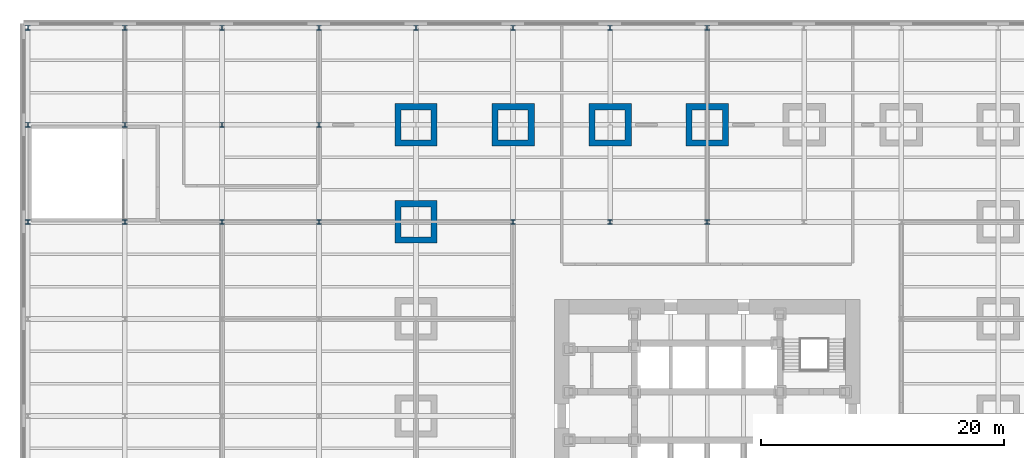
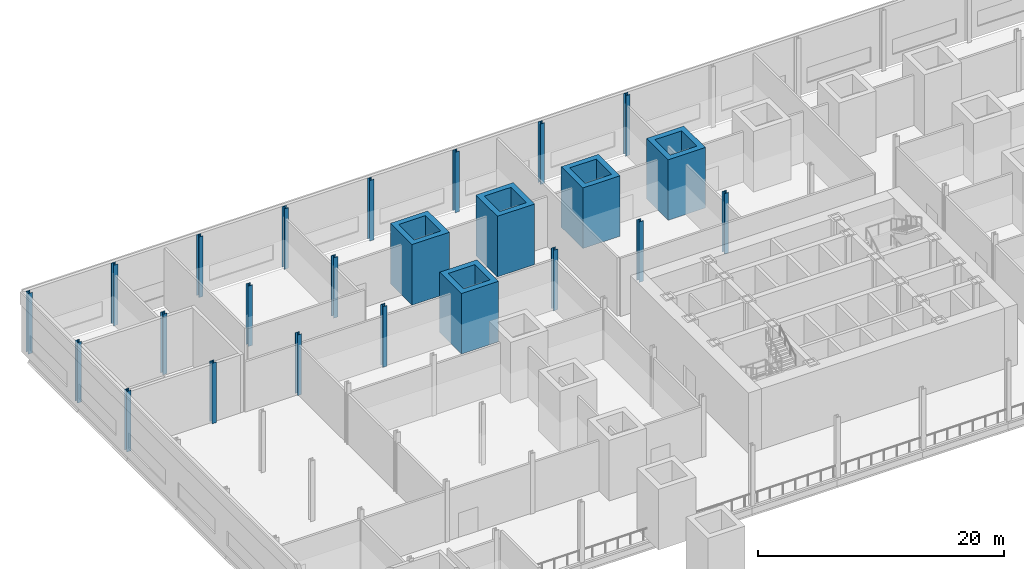
# One storey, part 5 of 21: 24 columns.
"""IFC4 building model written with IfcOpenShell, lengths in metres."""

import ifcopenshell
import ifcopenshell.guid

model = None  # the IFC model being written
_history = None  # IfcOwnerHistory: only IFC2X3 demands one
_inside = {}  # id of a spatial element -> (the spatial element, [elements in it])
_under = {}  # id of a project, library or spatial element -> (it, [spatial elements below it])
_declared = {}  # id of a project -> (the project, [libraries it declares])
_typed = {}  # id of a type object -> (the type object, [elements of that type])
_made_of = {}  # id of a material, layer set ... -> (it, [elements and type objects made of it])


def new_model(schema):
    """Start an empty IFC model of exactly this schema.

    Asked for "IFC4X3", IfcOpenShell would pick the latest addendum, in which some entities
    have other attributes; the version numbers below select the first issue.
    IFC2X3 requires an IfcOwnerHistory on every rooted entity: one is made here for all.
    """
    global model, _history
    if schema == "IFC4X3":
        model = ifcopenshell.file(schema_version=(4, 3, 0, 0))
    else:
        model = ifcopenshell.file(schema=schema)
    _inside.clear()
    _under.clear()
    _declared.clear()
    _typed.clear()
    _made_of.clear()
    _history = None
    if model.schema == "IFC2X3":
        org = make("IfcOrganization", Name="unknown")
        user = make(
            "IfcPersonAndOrganization",
            ThePerson=make("IfcPerson", FamilyName="unknown"),
            TheOrganization=org,
        )
        app = make(
            "IfcApplication",
            ApplicationDeveloper=org,
            Version="unknown",
            ApplicationFullName="unknown",
            ApplicationIdentifier="unknown",
        )
        _history = make(
            "IfcOwnerHistory",
            OwningUser=user,
            OwningApplication=app,
            ChangeAction="ADDED",
            CreationDate=0,
        )
    return model


def make(cls, **values):
    """One entity of the class cls with the attributes given. An attribute that is None is left unset."""
    return model.create_entity(
        cls, **{name: value for name, value in values.items() if value is not None}
    )


def rooted(cls, **values):
    """An entity with a GlobalId (a new one), such as an element, a storey or a relation."""
    return make(cls, GlobalId=ifcopenshell.guid.new(), OwnerHistory=_history, **values)


def si_unit(unit_type, name, prefix=None):
    """IfcSIUnit, for example si_unit("LENGTHUNIT", "METRE", prefix="MILLI")."""
    return make("IfcSIUnit", UnitType=unit_type, Prefix=prefix, Name=name)


def assignment(units):
    """IfcUnitAssignment: the units of a project."""
    return None if units is None else make("IfcUnitAssignment", Units=units)


def point(xyz):
    """IfcCartesianPoint."""
    return None if xyz is None else make("IfcCartesianPoint", Coordinates=xyz)


def direction(xyz):
    """IfcDirection."""
    return None if xyz is None else make("IfcDirection", DirectionRatios=xyz)


def frame(location, z_axis=None, x_axis=None):
    """IfcAxis2Placement3D, a coordinate frame: its origin and axes. An axis left out is left unset."""
    return make(
        "IfcAxis2Placement3D",
        Location=point(location),
        Axis=direction(z_axis),
        RefDirection=direction(x_axis),
    )


def frame_2d(location, x_axis=None):
    """IfcAxis2Placement2D, a coordinate frame in the plane: its origin and x axis."""
    return make(
        "IfcAxis2Placement2D", Location=point(location), RefDirection=direction(x_axis)
    )


def origin():
    """The frame at (0, 0, 0) with its axes left unset."""
    return frame((0.0, 0.0, 0.0))


def origin_2d():
    """The frame at (0, 0) in the plane with its x axis left unset."""
    return frame_2d((0.0, 0.0))


def place(relative_to, where):
    """IfcLocalPlacement: puts the frame where relative to a parent placement (None: the world)."""
    return make(
        "IfcLocalPlacement", PlacementRelTo=relative_to, RelativePlacement=where
    )


def context(
    kind, dimensions, precision=None, world=None, true_north=None, identifier=None
):
    """IfcGeometricRepresentationContext, for example the 3D "Model" context."""
    return make(
        "IfcGeometricRepresentationContext",
        ContextIdentifier=identifier,
        ContextType=kind,
        CoordinateSpaceDimension=dimensions,
        Precision=precision,
        WorldCoordinateSystem=world,
        TrueNorth=true_north,
    )


def subcontext(parent, identifier, kind, view, scale=None):
    """IfcGeometricRepresentationSubContext, for example "Body" below "Model"."""
    return make(
        "IfcGeometricRepresentationSubContext",
        ContextIdentifier=identifier,
        ContextType=kind,
        ParentContext=parent,
        TargetScale=scale,
        TargetView=view,
    )


def project(units=None, contexts=None):
    """IfcProject with its units and contexts."""
    return rooted(
        "IfcProject",
        Name="project",
        RepresentationContexts=contexts,
        UnitsInContext=assignment(units),
    )


def spatial(cls, under=None, at=None, **own):
    """A site, building, storey or space (cls), placed at a placement, below another one or the project."""
    s = rooted(cls, ObjectPlacement=at, **own)
    if under is not None:
        _under.setdefault(under.id(), (under, []))[1].append(s)
    return s


def profile(cls, at=None, kind="AREA", **sizes):
    """A parametric profile (cls). Its sizes go by their IFC names, for example OverallWidth=200.0."""
    return make(cls, ProfileType=kind, Position=at, **sizes)


def hollow_rectangle(**sizes):
    """IfcRectangleHollowProfileDef."""
    return profile("IfcRectangleHollowProfileDef", **sizes)


def i_section(**sizes):
    """IfcIShapeProfileDef."""
    return profile("IfcIShapeProfileDef", **sizes)


def extrude(swept, where, along, depth):
    """IfcExtrudedAreaSolid: the profile swept, set in the frame where, extruded along a direction by depth."""
    return make(
        "IfcExtrudedAreaSolid",
        SweptArea=swept,
        Position=where,
        ExtrudedDirection=direction(along),
        Depth=depth,
    )


def shape(context_of_items, identifier, shape_type, items):
    """IfcShapeRepresentation: the items that make up one representation, for example the "Body"."""
    return make(
        "IfcShapeRepresentation",
        ContextOfItems=context_of_items,
        RepresentationIdentifier=identifier,
        RepresentationType=shape_type,
        Items=items,
    )


def material(Name=None, Category=None):
    """IfcMaterial."""
    return make("IfcMaterial", Name=Name, Category=Category)


def material_profile(
    of_material, cross_section, Name=None, Category=None, Priority=None
):
    """IfcMaterialProfile: a cross section and its material."""
    return make(
        "IfcMaterialProfile",
        Name=Name,
        Material=of_material,
        Profile=cross_section,
        Priority=Priority,
        Category=Category,
    )


def profile_set(profiles, Name=None, composite=None):
    """IfcMaterialProfileSet."""
    return make(
        "IfcMaterialProfileSet",
        Name=Name,
        MaterialProfiles=profiles,
        CompositeProfile=composite,
    )


def made_of(thing, what):
    """Note that an element or type object is made of a material, layer set ...; save() writes the relation."""
    if what is not None:
        _made_of.setdefault(what.id(), (what, []))[1].append(thing)
    return thing


def type_object(cls, material=None, **own):
    """A type object (cls), such as IfcWallType, which elements share."""
    return made_of(rooted(cls, **own), material)


def element(
    cls,
    number,
    at=None,
    inside=None,
    cuts=None,
    type_object=None,
    material=None,
    context=None,
    identifier="Body",
    shape_type=None,
    held_by="IfcProductDefinitionShape",
    body=None,
    shapes=None,
    **own,
):
    """One element of the class cls, such as IfcWall. Its Tag is "e" and its number.

    at: its placement. inside: the storey or other place that contains it. cuts: it is an
    opening in that element (IfcRelVoidsElement). A single representation is given by context,
    identifier, shape_type and body (its items); several are given by shapes. held_by: the class
    of the entity that holds the representations. save() writes the other relations.
    """
    e = rooted(cls, Tag="e%d" % number, ObjectPlacement=at, **own)
    if body is not None:
        shapes = [shape(context, identifier, shape_type, body)]
    if shapes is not None:
        e.Representation = make(held_by, Representations=shapes)
    if inside is not None:
        _inside.setdefault(inside.id(), (inside, []))[1].append(e)
    if cuts is not None:
        rooted(
            "IfcRelVoidsElement", RelatingBuildingElement=cuts, RelatedOpeningElement=e
        )
    if type_object is not None:
        _typed.setdefault(type_object.id(), (type_object, []))[1].append(e)
    return made_of(e, material)


def aggregate(whole, parts):
    """IfcRelAggregates: a whole, such as a stair, and the parts it consists of."""
    return rooted("IfcRelAggregates", RelatingObject=whole, RelatedObjects=parts)


def save(model, path):
    """Write the relations noted so far, then the file.

    IfcRelAggregates (storeys below a building ...), IfcRelContainedInSpatialStructure (elements
    in a storey), IfcRelDefinesByType, IfcRelAssociatesMaterial and IfcRelDeclares: one each for
    every whole, place, type object, material and project.
    """
    for whole, parts in _under.values():
        aggregate(whole, parts)
    for where, things in _inside.values():
        rooted(
            "IfcRelContainedInSpatialStructure",
            RelatedElements=things,
            RelatingStructure=where,
        )
    for kind, things in _typed.values():
        rooted("IfcRelDefinesByType", RelatedObjects=things, RelatingType=kind)
    for what, things in _made_of.values():
        rooted("IfcRelAssociatesMaterial", RelatedObjects=things, RelatingMaterial=what)
    for by, libraries in _declared.values():
        rooted("IfcRelDeclares", RelatingContext=by, RelatedDefinitions=libraries)
    model.write(path)


model = new_model("IFC4")

# Units and contexts
model_context = context("Model", 3, precision=1e-05, world=origin(), true_north=direction((0.0, 1.0)))
body_context = subcontext(model_context, "Body", "Model", "MODEL_VIEW")
ifc_project = project(units=[si_unit("LENGTHUNIT", "METRE"), si_unit("AREAUNIT", "SQUARE_METRE"), si_unit("VOLUMEUNIT", "CUBIC_METRE"), si_unit("PLANEANGLEUNIT", "RADIAN"), si_unit("MASSUNIT", "GRAM", prefix="KILO")], contexts=[model_context])

# Site, building, storey
site_placement = place(None, origin())
site = spatial("IfcSite", under=ifc_project, at=site_placement, CompositionType="ELEMENT")
building_placement = place(site_placement, origin())
building = spatial("IfcBuilding", under=site, at=building_placement, Name="Daluyong Arena Tower", CompositionType="ELEMENT")
storey_placement = place(building_placement, frame((0.0, 0.0, 19.89990234375)))
storey = spatial("IfcBuildingStorey", under=building, at=storey_placement, Name="L04", CompositionType="ELEMENT", Elevation=19.89990234375)

# Columns
ifc_material_1 = material(Name="Steel ASTM A992 Grade 50", Category="steel")
ifc_material_profile_1 = material_profile(ifc_material_1, i_section(OverallWidth=0.398681640625, OverallDepth=0.385986328125, WebThickness=0.02099609375, FlangeThickness=0.033203125, at=origin_2d()))
ifc_profile_set_1 = profile_set([ifc_material_profile_1], Name="Steel ASTM A992 Grade 50")
column_type_1 = type_object("IfcColumnType", Name="Podium column W14X176", PredefinedType="COLUMN", material=ifc_profile_set_1)
for number, where, z_axis, x_axis, name in (
    (1, (0.0, 96.0, 0.0), (0.0, 0.0, 1.0), (1.0, 0.0, 0.0), "podium column PC3"),
    (2, (0.0, 104.0, 0.0), (0.0, 0.0, 1.0), (1.0, 0.0, 0.0), "podium column PC3"),
    (3, (0.0, 112.0, 0.0), (0.0, 0.0, 1.0), (1.0, 0.0, 0.0), "podium column PC3"),
    (4, (8.0, 96.0, 0.0), (0.0, 0.0, 1.0), (1.0, 0.0, 0.0), "podium column PC3"),
    (5, (8.0, 104.0, 0.0), (0.0, 0.0, 1.0), (1.0, 0.0, 0.0), "podium column PC3"),
    (6, (8.0, 112.0, 0.0), (0.0, 0.0, 1.0), (1.0, 0.0, 0.0), "podium column PC3"),
    (7, (16.0, 96.0, 0.0), (0.0, 0.0, 1.0), (1.0, 0.0, 0.0), "podium column PC3"),
    (8, (16.0, 104.0, 0.0), (0.0, 0.0, 1.0), (1.0, 0.0, 0.0), "podium column PC3"),
    (9, (16.0, 112.0, 0.0), (0.0, 0.0, 1.0), (1.0, 0.0, 0.0), "podium column PC3"),
    (10, (24.0, 96.0, 0.0), (0.0, 0.0, 1.0), (1.0, 0.0, 0.0), "podium column PC3"),
    (11, (24.0, 104.0, 0.0), (0.0, 0.0, 1.0), (1.0, 0.0, 0.0), "podium column PC3"),
    (12, (24.0, 112.0, 0.0), (0.0, 0.0, 1.0), (1.0, 0.0, 0.0), "podium column PC3"),
    (13, (32.0, 112.0, 0.0), (0.0, 0.0, 1.0), (1.0, 0.0, 0.0), "podium column PC3"),
    (14, (40.0, 96.0, 0.0), (0.0, 0.0, 1.0), (1.0, 0.0, 0.0), "podium column PC3"),
    (15, (40.0, 112.0, 0.0), (0.0, 0.0, 1.0), (1.0, 0.0, 0.0), "podium column PC3"),
    (16, (48.0, 96.0, 0.0), (0.0, 0.0, 1.0), (1.0, 0.0, 0.0), "podium column PC3"),
    (17, (48.0, 112.0, 0.0), (0.0, 0.0, 1.0), (1.0, 0.0, 0.0), "podium column PC3"),
    (18, (56.0, 96.0, 0.0), (0.0, 0.0, 1.0), (1.0, 0.0, 0.0), "podium column PC3"),
    (19, (56.0, 112.0, 0.0), (0.0, 0.0, 1.0), (1.0, 0.0, 0.0), "podium column PC3"),
):
    element("IfcColumn", number, at=place(storey_placement, frame(where, z_axis=z_axis, x_axis=x_axis)), inside=storey, type_object=column_type_1, Name=name, PredefinedType="COLUMN", context=body_context, shape_type="SweptSolid", body=[
        extrude(i_section(OverallWidth=0.398681640625, OverallDepth=0.385986328125, WebThickness=0.02099609375, FlangeThickness=0.033203125, at=origin_2d()), origin(), (0.0, 0.0, 1.0), 6.0),
    ])
ifc_material_2 = material(Name="Steel ASTM A36", Category="steel")
ifc_material_profile_2 = material_profile(ifc_material_2, hollow_rectangle(XDim=3.5, YDim=3.5, WallThickness=0.5, at=origin_2d()))
ifc_profile_set_2 = profile_set([ifc_material_profile_2], Name="Steel ASTM A36")
column_type_2 = type_object("IfcColumnType", Name="Podium megacolumn BX3500X500", PredefinedType="COLUMN", material=ifc_profile_set_2)
for number, where, z_axis, x_axis, name in (
    (20, (32.0, 96.0, 0.0), (0.0, 0.0, 1.0), (1.0, 0.0, 0.0), "podium megacolumn MC1"),
    (21, (32.0, 104.0, 0.0), (0.0, 0.0, 1.0), (1.0, 0.0, 0.0), "podium megacolumn MC1"),
    (22, (40.0, 104.0, 0.0), (0.0, 0.0, 1.0), (1.0, 0.0, 0.0), "podium megacolumn MC1"),
    (23, (48.0, 104.0, 0.0), (0.0, 0.0, 1.0), (1.0, 0.0, 0.0), "podium megacolumn MC1"),
    (24, (56.0, 104.0, 0.0), (0.0, 0.0, 1.0), (1.0, 0.0, 0.0), "podium megacolumn MC1"),
):
    element("IfcColumn", number, at=place(storey_placement, frame(where, z_axis=z_axis, x_axis=x_axis)), inside=storey, type_object=column_type_2, Name=name, PredefinedType="COLUMN", context=body_context, shape_type="SweptSolid", body=[
        extrude(hollow_rectangle(XDim=3.5, YDim=3.5, WallThickness=0.5, at=origin_2d()), origin(), (0.0, 0.0, 1.0), 6.0),
    ])

save(model, "model.ifc")
